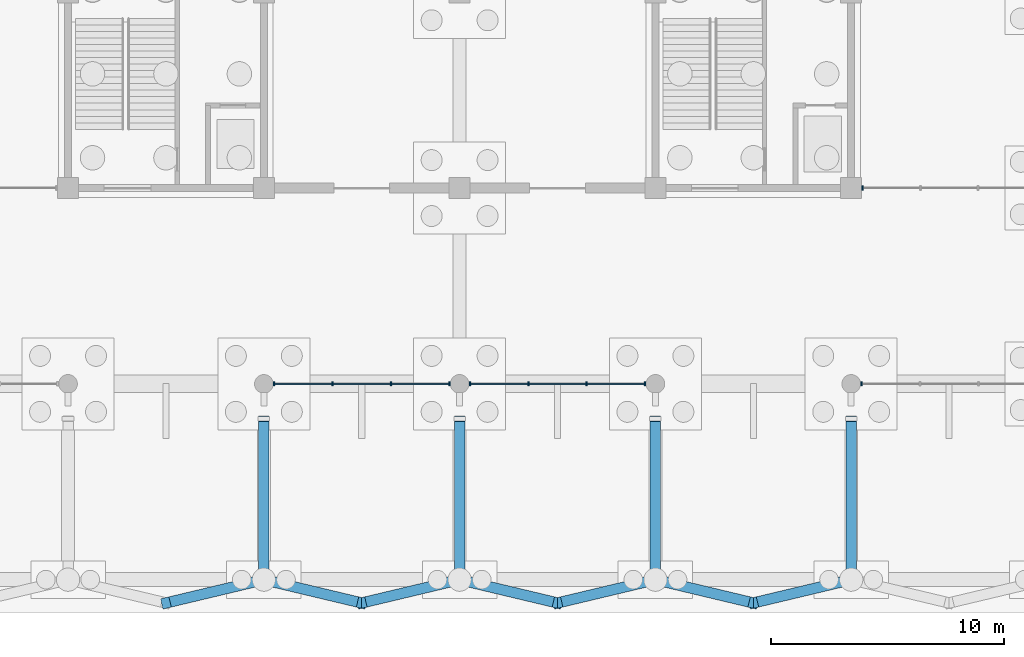
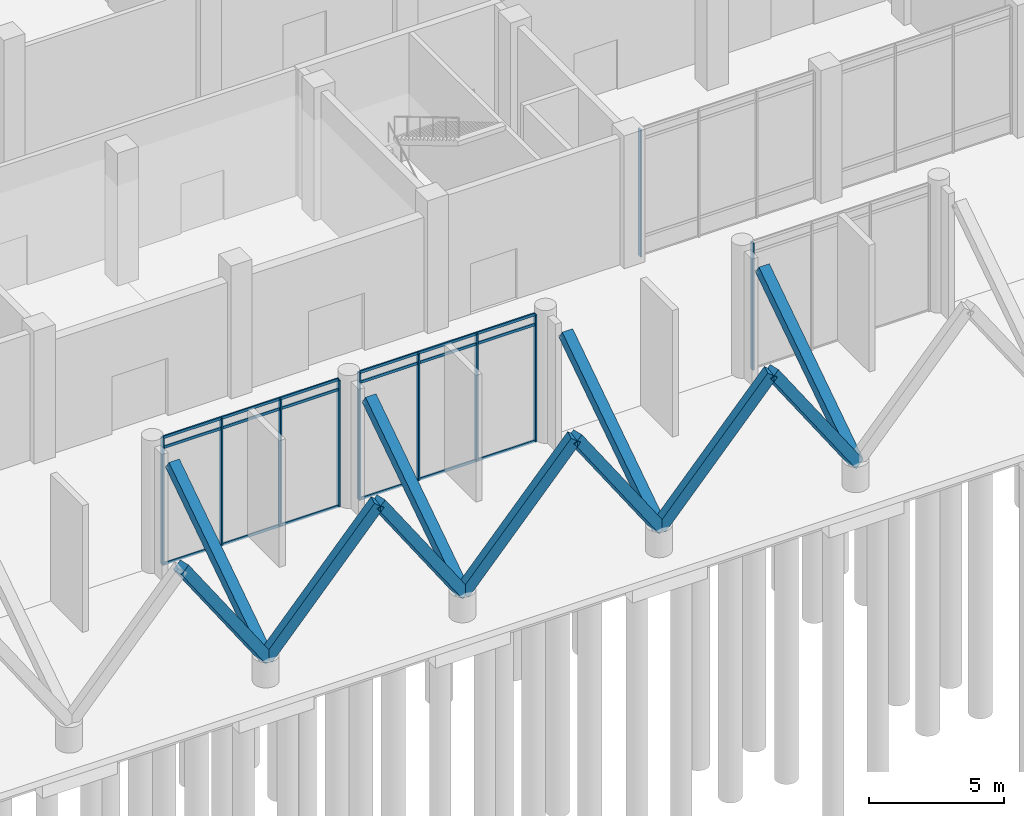
# One storey, part 20 of 72: 39 members, 4 elements without a shape of their own.
"""IFC4 building model written with IfcOpenShell, lengths in metres."""

import ifcopenshell
import ifcopenshell.guid

model = None  # the IFC model being written
_history = None  # IfcOwnerHistory: only IFC2X3 demands one
_inside = {}  # id of a spatial element -> (the spatial element, [elements in it])
_under = {}  # id of a project, library or spatial element -> (it, [spatial elements below it])
_declared = {}  # id of a project -> (the project, [libraries it declares])
_typed = {}  # id of a type object -> (the type object, [elements of that type])
_made_of = {}  # id of a material, layer set ... -> (it, [elements and type objects made of it])


def new_model(schema):
    """Start an empty IFC model of exactly this schema.

    Asked for "IFC4X3", IfcOpenShell would pick the latest addendum, in which some entities
    have other attributes; the version numbers below select the first issue.
    IFC2X3 requires an IfcOwnerHistory on every rooted entity: one is made here for all.
    """
    global model, _history
    if schema == "IFC4X3":
        model = ifcopenshell.file(schema_version=(4, 3, 0, 0))
    else:
        model = ifcopenshell.file(schema=schema)
    _inside.clear()
    _under.clear()
    _declared.clear()
    _typed.clear()
    _made_of.clear()
    _history = None
    if model.schema == "IFC2X3":
        org = make("IfcOrganization", Name="unknown")
        user = make(
            "IfcPersonAndOrganization",
            ThePerson=make("IfcPerson", FamilyName="unknown"),
            TheOrganization=org,
        )
        app = make(
            "IfcApplication",
            ApplicationDeveloper=org,
            Version="unknown",
            ApplicationFullName="unknown",
            ApplicationIdentifier="unknown",
        )
        _history = make(
            "IfcOwnerHistory",
            OwningUser=user,
            OwningApplication=app,
            ChangeAction="ADDED",
            CreationDate=0,
        )
    return model


def make(cls, **values):
    """One entity of the class cls with the attributes given. An attribute that is None is left unset."""
    return model.create_entity(
        cls, **{name: value for name, value in values.items() if value is not None}
    )


def rooted(cls, **values):
    """An entity with a GlobalId (a new one), such as an element, a storey or a relation."""
    return make(cls, GlobalId=ifcopenshell.guid.new(), OwnerHistory=_history, **values)


def si_unit(unit_type, name, prefix=None):
    """IfcSIUnit, for example si_unit("LENGTHUNIT", "METRE", prefix="MILLI")."""
    return make("IfcSIUnit", UnitType=unit_type, Prefix=prefix, Name=name)


def assignment(units):
    """IfcUnitAssignment: the units of a project."""
    return None if units is None else make("IfcUnitAssignment", Units=units)


def point(xyz):
    """IfcCartesianPoint."""
    return None if xyz is None else make("IfcCartesianPoint", Coordinates=xyz)


def direction(xyz):
    """IfcDirection."""
    return None if xyz is None else make("IfcDirection", DirectionRatios=xyz)


def frame(location, z_axis=None, x_axis=None):
    """IfcAxis2Placement3D, a coordinate frame: its origin and axes. An axis left out is left unset."""
    return make(
        "IfcAxis2Placement3D",
        Location=point(location),
        Axis=direction(z_axis),
        RefDirection=direction(x_axis),
    )


def frame_2d(location, x_axis=None):
    """IfcAxis2Placement2D, a coordinate frame in the plane: its origin and x axis."""
    return make(
        "IfcAxis2Placement2D", Location=point(location), RefDirection=direction(x_axis)
    )


def origin():
    """The frame at (0, 0, 0) with its axes left unset."""
    return frame((0.0, 0.0, 0.0))


def origin_2d():
    """The frame at (0, 0) in the plane with its x axis left unset."""
    return frame_2d((0.0, 0.0))


def place(relative_to, where):
    """IfcLocalPlacement: puts the frame where relative to a parent placement (None: the world)."""
    return make(
        "IfcLocalPlacement", PlacementRelTo=relative_to, RelativePlacement=where
    )


def context(
    kind, dimensions, precision=None, world=None, true_north=None, identifier=None
):
    """IfcGeometricRepresentationContext, for example the 3D "Model" context."""
    return make(
        "IfcGeometricRepresentationContext",
        ContextIdentifier=identifier,
        ContextType=kind,
        CoordinateSpaceDimension=dimensions,
        Precision=precision,
        WorldCoordinateSystem=world,
        TrueNorth=true_north,
    )


def subcontext(parent, identifier, kind, view, scale=None):
    """IfcGeometricRepresentationSubContext, for example "Body" below "Model"."""
    return make(
        "IfcGeometricRepresentationSubContext",
        ContextIdentifier=identifier,
        ContextType=kind,
        ParentContext=parent,
        TargetScale=scale,
        TargetView=view,
    )


def project(units=None, contexts=None):
    """IfcProject with its units and contexts."""
    return rooted(
        "IfcProject",
        Name="project",
        RepresentationContexts=contexts,
        UnitsInContext=assignment(units),
    )


def spatial(cls, under=None, at=None, **own):
    """A site, building, storey or space (cls), placed at a placement, below another one or the project."""
    s = rooted(cls, ObjectPlacement=at, **own)
    if under is not None:
        _under.setdefault(under.id(), (under, []))[1].append(s)
    return s


def profile(cls, at=None, kind="AREA", **sizes):
    """A parametric profile (cls). Its sizes go by their IFC names, for example OverallWidth=200.0."""
    return make(cls, ProfileType=kind, Position=at, **sizes)


def rectangle(**sizes):
    """IfcRectangleProfileDef."""
    return profile("IfcRectangleProfileDef", **sizes)


def extrude(swept, where, along, depth):
    """IfcExtrudedAreaSolid: the profile swept, set in the frame where, extruded along a direction by depth."""
    return make(
        "IfcExtrudedAreaSolid",
        SweptArea=swept,
        Position=where,
        ExtrudedDirection=direction(along),
        Depth=depth,
    )


def shape(context_of_items, identifier, shape_type, items):
    """IfcShapeRepresentation: the items that make up one representation, for example the "Body"."""
    return make(
        "IfcShapeRepresentation",
        ContextOfItems=context_of_items,
        RepresentationIdentifier=identifier,
        RepresentationType=shape_type,
        Items=items,
    )


def material(Name=None, Category=None):
    """IfcMaterial."""
    return make("IfcMaterial", Name=Name, Category=Category)


def layer(
    of_material, thickness, ventilated=None, Name=None, Category=None, Priority=None
):
    """IfcMaterialLayer: one layer of a wall or slab, of a material (None: an air gap)."""
    return make(
        "IfcMaterialLayer",
        Material=of_material,
        LayerThickness=thickness,
        IsVentilated=ventilated,
        Name=Name,
        Category=Category,
        Priority=Priority,
    )


def layer_set(layers, Name=None):
    """IfcMaterialLayerSet."""
    return make("IfcMaterialLayerSet", MaterialLayers=layers, LayerSetName=Name)


def material_profile(
    of_material, cross_section, Name=None, Category=None, Priority=None
):
    """IfcMaterialProfile: a cross section and its material."""
    return make(
        "IfcMaterialProfile",
        Name=Name,
        Material=of_material,
        Profile=cross_section,
        Priority=Priority,
        Category=Category,
    )


def profile_set(profiles, Name=None, composite=None):
    """IfcMaterialProfileSet."""
    return make(
        "IfcMaterialProfileSet",
        Name=Name,
        MaterialProfiles=profiles,
        CompositeProfile=composite,
    )


def made_of(thing, what):
    """Note that an element or type object is made of a material, layer set ...; save() writes the relation."""
    if what is not None:
        _made_of.setdefault(what.id(), (what, []))[1].append(thing)
    return thing


def type_object(cls, material=None, **own):
    """A type object (cls), such as IfcWallType, which elements share."""
    return made_of(rooted(cls, **own), material)


def element(
    cls,
    number,
    at=None,
    inside=None,
    cuts=None,
    type_object=None,
    material=None,
    context=None,
    identifier="Body",
    shape_type=None,
    held_by="IfcProductDefinitionShape",
    body=None,
    shapes=None,
    **own,
):
    """One element of the class cls, such as IfcWall. Its Tag is "e" and its number.

    at: its placement. inside: the storey or other place that contains it. cuts: it is an
    opening in that element (IfcRelVoidsElement). A single representation is given by context,
    identifier, shape_type and body (its items); several are given by shapes. held_by: the class
    of the entity that holds the representations. save() writes the other relations.
    """
    e = rooted(cls, Tag="e%d" % number, ObjectPlacement=at, **own)
    if body is not None:
        shapes = [shape(context, identifier, shape_type, body)]
    if shapes is not None:
        e.Representation = make(held_by, Representations=shapes)
    if inside is not None:
        _inside.setdefault(inside.id(), (inside, []))[1].append(e)
    if cuts is not None:
        rooted(
            "IfcRelVoidsElement", RelatingBuildingElement=cuts, RelatedOpeningElement=e
        )
    if type_object is not None:
        _typed.setdefault(type_object.id(), (type_object, []))[1].append(e)
    return made_of(e, material)


def aggregate(whole, parts):
    """IfcRelAggregates: a whole, such as a stair, and the parts it consists of."""
    return rooted("IfcRelAggregates", RelatingObject=whole, RelatedObjects=parts)


def save(model, path):
    """Write the relations noted so far, then the file.

    IfcRelAggregates (storeys below a building ...), IfcRelContainedInSpatialStructure (elements
    in a storey), IfcRelDefinesByType, IfcRelAssociatesMaterial and IfcRelDeclares: one each for
    every whole, place, type object, material and project.
    """
    for whole, parts in _under.values():
        aggregate(whole, parts)
    for where, things in _inside.values():
        rooted(
            "IfcRelContainedInSpatialStructure",
            RelatedElements=things,
            RelatingStructure=where,
        )
    for kind, things in _typed.values():
        rooted("IfcRelDefinesByType", RelatedObjects=things, RelatingType=kind)
    for what, things in _made_of.values():
        rooted("IfcRelAssociatesMaterial", RelatedObjects=things, RelatingMaterial=what)
    for by, libraries in _declared.values():
        rooted("IfcRelDeclares", RelatingContext=by, RelatedDefinitions=libraries)
    model.write(path)


model = new_model("IFC4")

# Units and contexts
model_context = context("Model", 3, precision=1e-05, world=origin(), true_north=direction((0.0, 1.0)))
body_context = subcontext(model_context, "Body", "Model", "MODEL_VIEW")
ifc_project = project(units=[si_unit("LENGTHUNIT", "METRE"), si_unit("AREAUNIT", "SQUARE_METRE"), si_unit("VOLUMEUNIT", "CUBIC_METRE"), si_unit("PLANEANGLEUNIT", "RADIAN"), si_unit("MASSUNIT", "GRAM", prefix="KILO")], contexts=[model_context])

# Site, building, storey
site_placement = place(None, origin())
site = spatial("IfcSite", under=ifc_project, at=site_placement, CompositionType="ELEMENT")
building_placement = place(site_placement, origin())
building = spatial("IfcBuilding", under=site, at=building_placement, Name="Qawsi Khor Wholesale Market", CompositionType="ELEMENT")
storey_placement = place(building_placement, origin())
storey = spatial("IfcBuildingStorey", under=building, at=storey_placement, Name="L00", CompositionType="ELEMENT", Elevation=0.0)

# Curtain wall, member
ifc_material_1 = material(Name="Aluminium Anodised Bronze", Category="aluminium")
ifc_layer = layer(ifc_material_1, 0.159912109375, Name="Aluminium Anodised Bronze")
ifc_layer_set = layer_set([ifc_layer], Name="Aluminium Anodised Bronze")
curtain_wall_type = type_object("IfcCurtainWallType", Name="Boulevard Arcade Glazed Curtain Wall CW-01", PredefinedType="NOTDEFINED", material=ifc_layer_set)
curtain_wall_1_placement = place(storey_placement, origin())
curtain_wall_1 = element("IfcCurtainWall", 1, at=curtain_wall_1_placement, inside=storey, type_object=curtain_wall_type, Name="Curtain wall CW-CW-01-L00-005", PredefinedType="NOTDEFINED")
ifc_material_profile_1 = material_profile(ifc_material_1, rectangle(XDim=0.06494140625, YDim=0.179931640625, at=origin_2d()), Name="ALU MULLION 65x180")
ifc_profile_set_1 = profile_set([ifc_material_profile_1], Name="Aluminium Anodised Bronze")
member_type_1 = type_object("IfcMemberType", Name="Curtain Wall Mullion CW-01 ALU MULLION 65x180", PredefinedType="MULLION", material=ifc_profile_set_1)
member_1_placement = place(storey_placement, frame((126.492431640625, 8.39990234375, -0.02001953125), z_axis=(0.0, 0.0, 1.0), x_axis=(1.0, 0.0, 0.0)))
member_1 = element("IfcMember", 2, at=member_1_placement, type_object=member_type_1, Name="Mullion CW-CW-01-L00-005-M00", PredefinedType="MULLION", context=body_context, shape_type="SweptSolid", body=[
    extrude(rectangle(XDim=0.06494140625, YDim=0.179931640625, at=origin_2d()), origin(), (0.0, 0.0, 1.0), 5.739990234375),
])
aggregate(curtain_wall_1, [member_1])

# Curtain wall, members
curtain_wall_2_placement = place(storey_placement, origin())
curtain_wall_2 = element("IfcCurtainWall", 3, at=curtain_wall_2_placement, inside=storey, type_object=curtain_wall_type, Name="Curtain wall CW-CW-01-L00-160", PredefinedType="NOTDEFINED")
member_2_placement = place(storey_placement, frame((101.242431640625, 0.0, -0.02001953125), z_axis=(0.0, 0.0, 1.0), x_axis=(1.0, 0.0, 0.0)))
member_2 = element("IfcMember", 4, at=member_2_placement, type_object=member_type_1, Name="Mullion CW-CW-01-L00-160-M00", PredefinedType="MULLION", context=body_context, shape_type="SweptSolid", body=[
    extrude(rectangle(XDim=0.06494140625, YDim=0.179931640625, at=origin_2d()), origin(), (0.0, 0.0, 1.0), 5.739990234375),
])
member_3_placement = place(storey_placement, frame((103.74755859375, 0.0, -0.02001953125), z_axis=(0.0, 0.0, 1.0), x_axis=(1.0, 0.0, 0.0)))
member_3 = element("IfcMember", 5, at=member_3_placement, type_object=member_type_1, Name="Mullion CW-CW-01-L00-160-M01", PredefinedType="MULLION", context=body_context, shape_type="SweptSolid", body=[
    extrude(rectangle(XDim=0.06494140625, YDim=0.179931640625, at=origin_2d()), origin(), (0.0, 0.0, 1.0), 5.739990234375),
])
member_4_placement = place(storey_placement, frame((106.25244140625, 0.0, -0.02001953125), z_axis=(0.0, 0.0, 1.0), x_axis=(1.0, 0.0, 0.0)))
member_4 = element("IfcMember", 6, at=member_4_placement, type_object=member_type_1, Name="Mullion CW-CW-01-L00-160-M02", PredefinedType="MULLION", context=body_context, shape_type="SweptSolid", body=[
    extrude(rectangle(XDim=0.06494140625, YDim=0.179931640625, at=origin_2d()), origin(), (0.0, 0.0, 1.0), 5.739990234375),
])
member_5_placement = place(storey_placement, frame((108.757568359375, 0.0, -0.02001953125), z_axis=(0.0, 0.0, 1.0), x_axis=(1.0, 0.0, 0.0)))
member_5 = element("IfcMember", 7, at=member_5_placement, type_object=member_type_1, Name="Mullion CW-CW-01-L00-160-M03", PredefinedType="MULLION", context=body_context, shape_type="SweptSolid", body=[
    extrude(rectangle(XDim=0.06494140625, YDim=0.179931640625, at=origin_2d()), origin(), (0.0, 0.0, 1.0), 5.739990234375),
])

curtain_wall_3_placement = place(storey_placement, origin())
curtain_wall_3 = element("IfcCurtainWall", 8, at=curtain_wall_3_placement, inside=storey, type_object=curtain_wall_type, Name="Curtain wall CW-CW-01-L00-161", PredefinedType="NOTDEFINED")
member_6_placement = place(storey_placement, frame((109.642578125, 0.0, -0.02001953125), z_axis=(0.0, 0.0, 1.0), x_axis=(1.0, 0.0, 0.0)))
member_6 = element("IfcMember", 9, at=member_6_placement, type_object=member_type_1, Name="Mullion CW-CW-01-L00-161-M00", PredefinedType="MULLION", context=body_context, shape_type="SweptSolid", body=[
    extrude(rectangle(XDim=0.06494140625, YDim=0.179931640625, at=origin_2d()), origin(), (0.0, 0.0, 1.0), 5.739990234375),
])
member_7_placement = place(storey_placement, frame((112.1474609375, 0.0, -0.02001953125), z_axis=(0.0, 0.0, 1.0), x_axis=(1.0, 0.0, 0.0)))
member_7 = element("IfcMember", 10, at=member_7_placement, type_object=member_type_1, Name="Mullion CW-CW-01-L00-161-M01", PredefinedType="MULLION", context=body_context, shape_type="SweptSolid", body=[
    extrude(rectangle(XDim=0.06494140625, YDim=0.179931640625, at=origin_2d()), origin(), (0.0, 0.0, 1.0), 5.739990234375),
])
member_8_placement = place(storey_placement, frame((114.652587890625, 0.0, -0.02001953125), z_axis=(0.0, 0.0, 1.0), x_axis=(1.0, 0.0, 0.0)))
member_8 = element("IfcMember", 11, at=member_8_placement, type_object=member_type_1, Name="Mullion CW-CW-01-L00-161-M02", PredefinedType="MULLION", context=body_context, shape_type="SweptSolid", body=[
    extrude(rectangle(XDim=0.06494140625, YDim=0.179931640625, at=origin_2d()), origin(), (0.0, 0.0, 1.0), 5.739990234375),
])
member_9_placement = place(storey_placement, frame((117.157470703125, 0.0, -0.02001953125), z_axis=(0.0, 0.0, 1.0), x_axis=(1.0, 0.0, 0.0)))
member_9 = element("IfcMember", 12, at=member_9_placement, type_object=member_type_1, Name="Mullion CW-CW-01-L00-161-M03", PredefinedType="MULLION", context=body_context, shape_type="SweptSolid", body=[
    extrude(rectangle(XDim=0.06494140625, YDim=0.179931640625, at=origin_2d()), origin(), (0.0, 0.0, 1.0), 5.739990234375),
])

# Curtain wall, member
curtain_wall_4_placement = place(storey_placement, origin())
curtain_wall_4 = element("IfcCurtainWall", 13, at=curtain_wall_4_placement, inside=storey, type_object=curtain_wall_type, Name="Curtain wall CW-CW-01-L00-162", PredefinedType="NOTDEFINED")
member_10_placement = place(storey_placement, frame((126.4423828125, 0.0, -0.02001953125), z_axis=(0.0, 0.0, 1.0), x_axis=(1.0, 0.0, 0.0)))
member_10 = element("IfcMember", 14, at=member_10_placement, type_object=member_type_1, Name="Mullion CW-CW-01-L00-162-M00", PredefinedType="MULLION", context=body_context, shape_type="SweptSolid", body=[
    extrude(rectangle(XDim=0.06494140625, YDim=0.179931640625, at=origin_2d()), origin(), (0.0, 0.0, 1.0), 5.739990234375),
])
aggregate(curtain_wall_4, [member_10])

# Member
ifc_material_profile_2 = material_profile(ifc_material_1, rectangle(XDim=0.06005859375, YDim=0.1201171875, at=origin_2d()), Name="ALU TRANSOM 60x120")
ifc_profile_set_2 = profile_set([ifc_material_profile_2], Name="Aluminium Anodised Bronze")
member_type_2 = type_object("IfcMemberType", Name="Curtain Wall Transom CW-01 ALU TRANSOM 60x120", PredefinedType="USERDEFINED", material=ifc_profile_set_2)
member_11_placement = place(storey_placement, frame((101.242431640625, 0.0, 0.0), z_axis=(1.0, 0.0, 0.0), x_axis=(0.0, 1.0, 0.0)))
member_11 = element("IfcMember", 15, at=member_11_placement, type_object=member_type_2, Name="Transom CW-CW-01-L00-160-T0_00", ObjectType="TRANSOM", PredefinedType="USERDEFINED", context=body_context, shape_type="SweptSolid", body=[
    extrude(rectangle(XDim=0.06005859375, YDim=0.1201171875, at=origin_2d()), origin(), (0.0, 0.0, 1.0), 2.505126953125),
])

member_12_placement = place(storey_placement, frame((103.74755859375, 0.0, 0.0), z_axis=(1.0, 0.0, 0.0), x_axis=(0.0, 1.0, 0.0)))
member_12 = element("IfcMember", 16, at=member_12_placement, type_object=member_type_2, Name="Transom CW-CW-01-L00-160-T0_01", ObjectType="TRANSOM", PredefinedType="USERDEFINED", context=body_context, shape_type="SweptSolid", body=[
    extrude(rectangle(XDim=0.06005859375, YDim=0.1201171875, at=origin_2d()), origin(), (0.0, 0.0, 1.0), 2.5048828125),
])

member_13_placement = place(storey_placement, frame((106.25244140625, 0.0, 0.0), z_axis=(1.0, 0.0, 0.0), x_axis=(0.0, 1.0, 0.0)))
member_13 = element("IfcMember", 17, at=member_13_placement, type_object=member_type_2, Name="Transom CW-CW-01-L00-160-T0_02", ObjectType="TRANSOM", PredefinedType="USERDEFINED", context=body_context, shape_type="SweptSolid", body=[
    extrude(rectangle(XDim=0.06005859375, YDim=0.1201171875, at=origin_2d()), origin(), (0.0, 0.0, 1.0), 2.505126953125),
])

member_14_placement = place(storey_placement, frame((101.242431640625, 0.0, 5.27001953125), z_axis=(1.0, 0.0, 0.0), x_axis=(0.0, 1.0, 0.0)))
member_14 = element("IfcMember", 18, at=member_14_placement, type_object=member_type_2, Name="Transom CW-CW-01-L00-160-T1_00", ObjectType="TRANSOM", PredefinedType="USERDEFINED", context=body_context, shape_type="SweptSolid", body=[
    extrude(rectangle(XDim=0.06005859375, YDim=0.1201171875, at=origin_2d()), origin(), (0.0, 0.0, 1.0), 2.505126953125),
])

member_15_placement = place(storey_placement, frame((103.74755859375, 0.0, 5.27001953125), z_axis=(1.0, 0.0, 0.0), x_axis=(0.0, 1.0, 0.0)))
member_15 = element("IfcMember", 19, at=member_15_placement, type_object=member_type_2, Name="Transom CW-CW-01-L00-160-T1_01", ObjectType="TRANSOM", PredefinedType="USERDEFINED", context=body_context, shape_type="SweptSolid", body=[
    extrude(rectangle(XDim=0.06005859375, YDim=0.1201171875, at=origin_2d()), origin(), (0.0, 0.0, 1.0), 2.5048828125),
])

member_16_placement = place(storey_placement, frame((106.25244140625, 0.0, 5.27001953125), z_axis=(1.0, 0.0, 0.0), x_axis=(0.0, 1.0, 0.0)))
member_16 = element("IfcMember", 20, at=member_16_placement, type_object=member_type_2, Name="Transom CW-CW-01-L00-160-T1_02", ObjectType="TRANSOM", PredefinedType="USERDEFINED", context=body_context, shape_type="SweptSolid", body=[
    extrude(rectangle(XDim=0.06005859375, YDim=0.1201171875, at=origin_2d()), origin(), (0.0, 0.0, 1.0), 2.505126953125),
])

member_17_placement = place(storey_placement, frame((101.242431640625, 0.0, 5.719970703125), z_axis=(1.0, 0.0, 0.0), x_axis=(0.0, 1.0, 0.0)))
member_17 = element("IfcMember", 21, at=member_17_placement, type_object=member_type_2, Name="Transom CW-CW-01-L00-160-T2_00", ObjectType="TRANSOM", PredefinedType="USERDEFINED", context=body_context, shape_type="SweptSolid", body=[
    extrude(rectangle(XDim=0.06005859375, YDim=0.1201171875, at=origin_2d()), origin(), (0.0, 0.0, 1.0), 2.505126953125),
])

member_18_placement = place(storey_placement, frame((103.74755859375, 0.0, 5.719970703125), z_axis=(1.0, 0.0, 0.0), x_axis=(0.0, 1.0, 0.0)))
member_18 = element("IfcMember", 22, at=member_18_placement, type_object=member_type_2, Name="Transom CW-CW-01-L00-160-T2_01", ObjectType="TRANSOM", PredefinedType="USERDEFINED", context=body_context, shape_type="SweptSolid", body=[
    extrude(rectangle(XDim=0.06005859375, YDim=0.1201171875, at=origin_2d()), origin(), (0.0, 0.0, 1.0), 2.5048828125),
])

member_19_placement = place(storey_placement, frame((106.25244140625, 0.0, 5.719970703125), z_axis=(1.0, 0.0, 0.0), x_axis=(0.0, 1.0, 0.0)))
member_19 = element("IfcMember", 23, at=member_19_placement, type_object=member_type_2, Name="Transom CW-CW-01-L00-160-T2_02", ObjectType="TRANSOM", PredefinedType="USERDEFINED", context=body_context, shape_type="SweptSolid", body=[
    extrude(rectangle(XDim=0.06005859375, YDim=0.1201171875, at=origin_2d()), origin(), (0.0, 0.0, 1.0), 2.505126953125),
])

aggregate(curtain_wall_2, [member_2, member_3, member_4, member_5, member_11, member_12, member_13, member_14, member_15, member_16, member_17, member_18, member_19])

member_20_placement = place(storey_placement, frame((109.642578125, 0.0, 0.0), z_axis=(1.0, 0.0, 0.0), x_axis=(0.0, 1.0, 0.0)))
member_20 = element("IfcMember", 24, at=member_20_placement, type_object=member_type_2, Name="Transom CW-CW-01-L00-161-T0_00", ObjectType="TRANSOM", PredefinedType="USERDEFINED", context=body_context, shape_type="SweptSolid", body=[
    extrude(rectangle(XDim=0.06005859375, YDim=0.1201171875, at=origin_2d()), origin(), (0.0, 0.0, 1.0), 2.5048828125),
])

member_21_placement = place(storey_placement, frame((112.1474609375, 0.0, 0.0), z_axis=(1.0, 0.0, 0.0), x_axis=(0.0, 1.0, 0.0)))
member_21 = element("IfcMember", 25, at=member_21_placement, type_object=member_type_2, Name="Transom CW-CW-01-L00-161-T0_01", ObjectType="TRANSOM", PredefinedType="USERDEFINED", context=body_context, shape_type="SweptSolid", body=[
    extrude(rectangle(XDim=0.06005859375, YDim=0.1201171875, at=origin_2d()), origin(), (0.0, 0.0, 1.0), 2.505126953125),
])

member_22_placement = place(storey_placement, frame((114.652587890625, 0.0, 0.0), z_axis=(1.0, 0.0, 0.0), x_axis=(0.0, 1.0, 0.0)))
member_22 = element("IfcMember", 26, at=member_22_placement, type_object=member_type_2, Name="Transom CW-CW-01-L00-161-T0_02", ObjectType="TRANSOM", PredefinedType="USERDEFINED", context=body_context, shape_type="SweptSolid", body=[
    extrude(rectangle(XDim=0.06005859375, YDim=0.1201171875, at=origin_2d()), origin(), (0.0, 0.0, 1.0), 2.5048828125),
])

member_23_placement = place(storey_placement, frame((109.642578125, 0.0, 5.27001953125), z_axis=(1.0, 0.0, 0.0), x_axis=(0.0, 1.0, 0.0)))
member_23 = element("IfcMember", 27, at=member_23_placement, type_object=member_type_2, Name="Transom CW-CW-01-L00-161-T1_00", ObjectType="TRANSOM", PredefinedType="USERDEFINED", context=body_context, shape_type="SweptSolid", body=[
    extrude(rectangle(XDim=0.06005859375, YDim=0.1201171875, at=origin_2d()), origin(), (0.0, 0.0, 1.0), 2.5048828125),
])

member_24_placement = place(storey_placement, frame((112.1474609375, 0.0, 5.27001953125), z_axis=(1.0, 0.0, 0.0), x_axis=(0.0, 1.0, 0.0)))
member_24 = element("IfcMember", 28, at=member_24_placement, type_object=member_type_2, Name="Transom CW-CW-01-L00-161-T1_01", ObjectType="TRANSOM", PredefinedType="USERDEFINED", context=body_context, shape_type="SweptSolid", body=[
    extrude(rectangle(XDim=0.06005859375, YDim=0.1201171875, at=origin_2d()), origin(), (0.0, 0.0, 1.0), 2.505126953125),
])

member_25_placement = place(storey_placement, frame((114.652587890625, 0.0, 5.27001953125), z_axis=(1.0, 0.0, 0.0), x_axis=(0.0, 1.0, 0.0)))
member_25 = element("IfcMember", 29, at=member_25_placement, type_object=member_type_2, Name="Transom CW-CW-01-L00-161-T1_02", ObjectType="TRANSOM", PredefinedType="USERDEFINED", context=body_context, shape_type="SweptSolid", body=[
    extrude(rectangle(XDim=0.06005859375, YDim=0.1201171875, at=origin_2d()), origin(), (0.0, 0.0, 1.0), 2.5048828125),
])

member_26_placement = place(storey_placement, frame((109.642578125, 0.0, 5.719970703125), z_axis=(1.0, 0.0, 0.0), x_axis=(0.0, 1.0, 0.0)))
member_26 = element("IfcMember", 30, at=member_26_placement, type_object=member_type_2, Name="Transom CW-CW-01-L00-161-T2_00", ObjectType="TRANSOM", PredefinedType="USERDEFINED", context=body_context, shape_type="SweptSolid", body=[
    extrude(rectangle(XDim=0.06005859375, YDim=0.1201171875, at=origin_2d()), origin(), (0.0, 0.0, 1.0), 2.5048828125),
])

member_27_placement = place(storey_placement, frame((112.1474609375, 0.0, 5.719970703125), z_axis=(1.0, 0.0, 0.0), x_axis=(0.0, 1.0, 0.0)))
member_27 = element("IfcMember", 31, at=member_27_placement, type_object=member_type_2, Name="Transom CW-CW-01-L00-161-T2_01", ObjectType="TRANSOM", PredefinedType="USERDEFINED", context=body_context, shape_type="SweptSolid", body=[
    extrude(rectangle(XDim=0.06005859375, YDim=0.1201171875, at=origin_2d()), origin(), (0.0, 0.0, 1.0), 2.505126953125),
])

member_28_placement = place(storey_placement, frame((114.652587890625, 0.0, 5.719970703125), z_axis=(1.0, 0.0, 0.0), x_axis=(0.0, 1.0, 0.0)))
member_28 = element("IfcMember", 32, at=member_28_placement, type_object=member_type_2, Name="Transom CW-CW-01-L00-161-T2_02", ObjectType="TRANSOM", PredefinedType="USERDEFINED", context=body_context, shape_type="SweptSolid", body=[
    extrude(rectangle(XDim=0.06005859375, YDim=0.1201171875, at=origin_2d()), origin(), (0.0, 0.0, 1.0), 2.5048828125),
])

aggregate(curtain_wall_3, [member_6, member_7, member_8, member_9, member_20, member_21, member_22, member_23, member_24, member_25, member_26, member_27, member_28])

# Members
ifc_material_2 = material(Name="Concrete C40/50", Category="concrete")
ifc_material_profile_3 = material_profile(ifc_material_2, rectangle(XDim=0.449951171875, YDim=0.449951171875, at=origin_2d()), Name="RC 450x450")
ifc_profile_set_3 = profile_set([ifc_material_profile_3], Name="Concrete C40/50")
member_type_3 = type_object("IfcMemberType", Name="Sculpted Concrete V-Strut RC 450x450", PredefinedType="STRUT", material=ifc_profile_set_3)
for number, where, z_axis, x_axis, name in (
    (33, (100.800048828125, -8.39990234375, 1.050048828125), (-0.560167526357, -0.133374771142, 0.817571717245), (0.231623075633, -0.972805607937, 0.0), "Boulevard Raked Concrete V-Pier 11R"),
    (34, (100.800048828125, -8.39990234375, 1.050048828125), (0.560167526357, -0.133374771142, 0.817571717245), (0.231623075633, 0.972805607937, 0.0), "Boulevard Raked Concrete V-Pier 12L"),
    (35, (109.199951171875, -8.39990234375, 1.050048828125), (-0.560167526357, -0.133374771142, 0.817571717245), (0.231623075633, -0.972805607937, 0.0), "Boulevard Raked Concrete V-Pier 12R"),
):
    element("IfcMember", number, at=place(storey_placement, frame(where, z_axis=z_axis, x_axis=x_axis)), inside=storey, type_object=member_type_3, Name=name, PredefinedType="STRUT", context=body_context, shape_type="SweptSolid", body=[
        extrude(rectangle(XDim=0.449951171875, YDim=0.449951171875, at=origin_2d()), origin(), (0.0, 0.0, 1.0), 7.49755859375),
    ])
member_29_placement = place(storey_placement, frame((100.800048828125, -8.39990234375, 1.050048828125), z_axis=(0.0, 0.833712125107, 0.552199323115), x_axis=(-1.0, 0.0, 0.0)))
element("IfcMember", 36, at=member_29_placement, inside=storey, type_object=member_type_3, Name="Boulevard Raked Concrete Back-Strut 12", PredefinedType="STRUT", context=body_context, shape_type="SweptSolid", body=[
    extrude(rectangle(XDim=0.449951171875, YDim=0.449951171875, at=origin_2d()), origin(), (0.0, 0.0, 1.0), 8.276123046875),
])
member_30_placement = place(storey_placement, frame((109.199951171875, -8.39990234375, 1.050048828125), z_axis=(0.560167526357, -0.133374771142, 0.817571717245), x_axis=(0.231623075633, 0.972805607937, 0.0)))
element("IfcMember", 37, at=member_30_placement, inside=storey, type_object=member_type_3, Name="Boulevard Raked Concrete V-Pier 13L", PredefinedType="STRUT", context=body_context, shape_type="SweptSolid", body=[
    extrude(rectangle(XDim=0.449951171875, YDim=0.449951171875, at=origin_2d()), origin(), (0.0, 0.0, 1.0), 7.49755859375),
])
member_31_placement = place(storey_placement, frame((117.60009765625, -8.39990234375, 1.050048828125), z_axis=(-0.560189870329, -0.133372338344, 0.817556804476), x_axis=(0.231610334544, -0.972808641477, 0.0)))
element("IfcMember", 38, at=member_31_placement, inside=storey, type_object=member_type_3, Name="Boulevard Raked Concrete V-Pier 13R", PredefinedType="STRUT", context=body_context, shape_type="SweptSolid", body=[
    extrude(rectangle(XDim=0.449951171875, YDim=0.449951171875, at=origin_2d()), origin(), (0.0, 0.0, 1.0), 7.497802734375),
])
member_32_placement = place(storey_placement, frame((109.199951171875, -8.39990234375, 1.050048828125), z_axis=(0.0, 0.833712125107, 0.552199323115), x_axis=(-1.0, 0.0, 0.0)))
element("IfcMember", 39, at=member_32_placement, inside=storey, type_object=member_type_3, Name="Boulevard Raked Concrete Back-Strut 13", PredefinedType="STRUT", context=body_context, shape_type="SweptSolid", body=[
    extrude(rectangle(XDim=0.449951171875, YDim=0.449951171875, at=origin_2d()), origin(), (0.0, 0.0, 1.0), 8.276123046875),
])
for number, where, z_axis, x_axis, name in (
    (40, (117.60009765625, -8.39990234375, 1.050048828125), (0.560167526357, -0.133374771142, 0.817571717245), (0.231623075633, 0.972805607937, 0.0), "Boulevard Raked Concrete V-Pier 14L"),
    (41, (126.0, -8.39990234375, 1.050048828125), (-0.560167526357, -0.133374771142, 0.817571717245), (0.231623075633, -0.972805607937, 0.0), "Boulevard Raked Concrete V-Pier 14R"),
):
    element("IfcMember", number, at=place(storey_placement, frame(where, z_axis=z_axis, x_axis=x_axis)), inside=storey, type_object=member_type_3, Name=name, PredefinedType="STRUT", context=body_context, shape_type="SweptSolid", body=[
        extrude(rectangle(XDim=0.449951171875, YDim=0.449951171875, at=origin_2d()), origin(), (0.0, 0.0, 1.0), 7.49755859375),
    ])
for number, where, z_axis, x_axis, name in (
    (42, (117.60009765625, -8.39990234375, 1.050048828125), (0.0, 0.833712125107, 0.552199323115), (-1.0, 0.0, 0.0), "Boulevard Raked Concrete Back-Strut 14"),
    (43, (126.0, -8.39990234375, 1.050048828125), (0.0, 0.833712125107, 0.552199323115), (-1.0, 0.0, 0.0), "Boulevard Raked Concrete Back-Strut 15"),
):
    element("IfcMember", number, at=place(storey_placement, frame(where, z_axis=z_axis, x_axis=x_axis)), inside=storey, type_object=member_type_3, Name=name, PredefinedType="STRUT", context=body_context, shape_type="SweptSolid", body=[
        extrude(rectangle(XDim=0.449951171875, YDim=0.449951171875, at=origin_2d()), origin(), (0.0, 0.0, 1.0), 8.276123046875),
    ])

save(model, "model.ifc")
